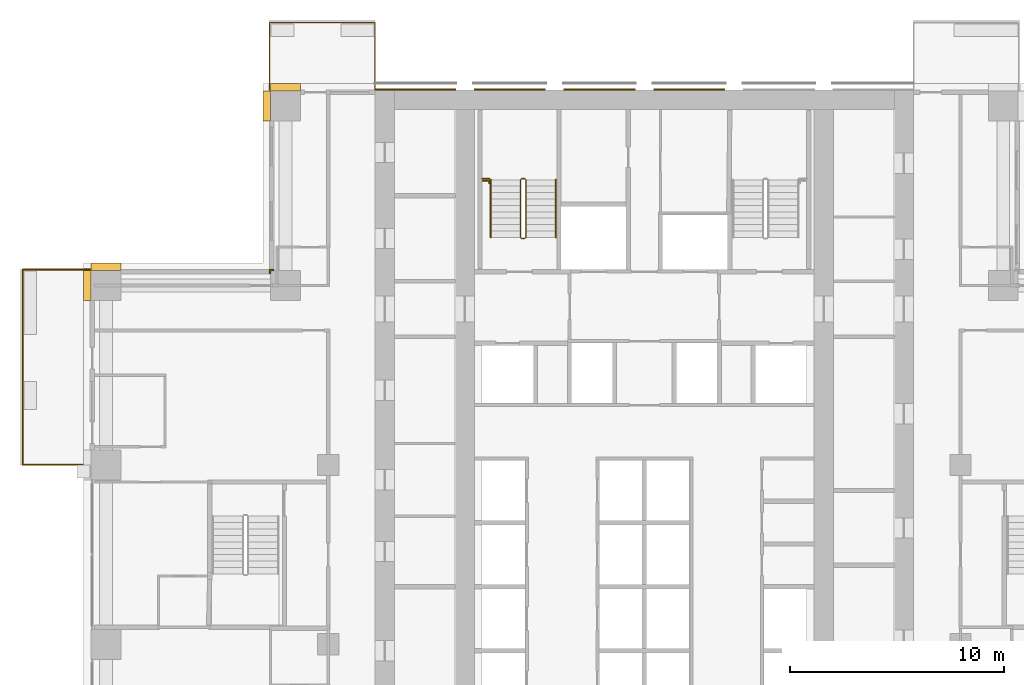
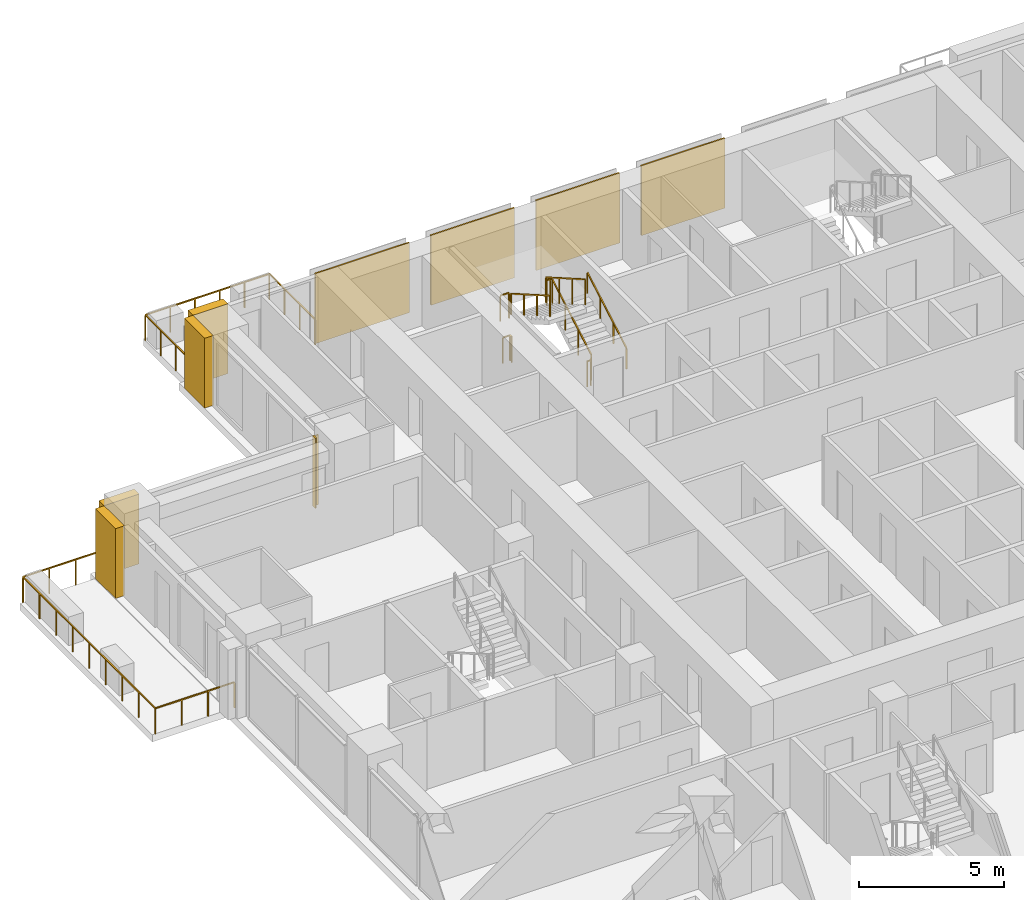
# One storey, part 15 of 16: 9 coverings, 7 railings.
"""IFC4 building model written with IfcOpenShell, lengths in metres."""

from ifc_helpers import new_model, si_unit, direction, frame, origin, origin_2d, place, context, subcontext, project, spatial, polyline, rectangle, outline, extrude, material, type_object, element, save


model = new_model("IFC4")

# Units and contexts
model_context = context("Model", 3, precision=1e-05, world=origin(), true_north=direction((0.0, 1.0)))
body_context = subcontext(model_context, "Body", "Model", "MODEL_VIEW")
ifc_project = project(units=[si_unit("LENGTHUNIT", "METRE"), si_unit("AREAUNIT", "SQUARE_METRE"), si_unit("VOLUMEUNIT", "CUBIC_METRE"), si_unit("PLANEANGLEUNIT", "RADIAN"), si_unit("MASSUNIT", "GRAM", prefix="KILO")], contexts=[model_context])

# Site, building, storey
site_placement = place(None, origin())
site = spatial("IfcSite", under=ifc_project, at=site_placement, CompositionType="ELEMENT")
building_placement = place(site_placement, origin())
building = spatial("IfcBuilding", under=site, at=building_placement, Name="Vermilion Ogive Tower", CompositionType="ELEMENT")
storey_placement = place(building_placement, frame((0.0, 0.0, 72.449951171875)))
storey = spatial("IfcBuildingStorey", under=building, at=storey_placement, Name="L17", CompositionType="ELEMENT", Elevation=72.449951171875)

# Railings
ifc_material_1 = material(Name="Stainless steel and glass", Category="steel")
railing_type_1 = type_object("IfcRailingType", Name="Balcony guard", PredefinedType="GUARDRAIL", material=ifc_material_1)
railing_1_placement = place(storey_placement, frame((-12.60009765625, 21.75, -0.0400390625)))
element("IfcRailing", 1, at=railing_1_placement, inside=storey, type_object=railing_type_1, Name="Guard N201", PredefinedType="GUARDRAIL", context=body_context, shape_type="SweptSolid", body=[
    extrude(rectangle(XDim=0.048095703125, YDim=0.048095703125, at=origin_2d()), frame((0.0, 0.0, 1.076171875), z_axis=(0.0, 1.0, 0.0), x_axis=(-1.0, 0.0, 0.0)), (0.0, 0.0, 1.0), 3.159912109375),
    extrude(rectangle(XDim=0.048095703125, YDim=0.048095703125, at=origin_2d()), frame((0.0, 3.159912109375, 1.076171875), z_axis=(-1.0, 0.0, 0.0), x_axis=(0.0, -1.0, 0.0)), (0.0, 0.0, 1.0), 4.949951171875),
    extrude(rectangle(XDim=0.048095703125, YDim=0.048095703125, at=origin_2d()), frame((-4.949951171875, 3.159912109375, 1.076171875), z_axis=(0.0, -1.0, 0.0), x_axis=(1.0, 0.0, 0.0)), (0.0, 0.0, 1.0), 3.159912109375),
    extrude(rectangle(XDim=0.0419921875, YDim=0.0419921875, at=origin_2d()), origin(), (0.0, 0.0, 1.0), 1.052001953125),
    extrude(rectangle(XDim=0.0419921875, YDim=0.0419921875, at=origin_2d()), frame((0.0, 1.05322265625, 0.0)), (0.0, 0.0, 1.0), 1.052001953125),
    extrude(rectangle(XDim=0.0419921875, YDim=0.0419921875, at=origin_2d()), frame((0.0, 2.106689453125, 0.0)), (0.0, 0.0, 1.0), 1.052001953125),
    extrude(rectangle(XDim=0.0419921875, YDim=0.0419921875, at=origin_2d()), frame((0.0, 3.159912109375, 0.0)), (0.0, 0.0, 1.0), 1.052001953125),
    extrude(rectangle(XDim=0.0419921875, YDim=0.0419921875, at=origin_2d()), frame((-0.989990234375, 3.159912109375, 0.0)), (0.0, 0.0, 1.0), 1.052001953125),
    extrude(rectangle(XDim=0.0419921875, YDim=0.0419921875, at=origin_2d()), frame((-1.97998046875, 3.159912109375, 0.0)), (0.0, 0.0, 1.0), 1.052001953125),
    extrude(rectangle(XDim=0.0419921875, YDim=0.0419921875, at=origin_2d()), frame((-2.969970703125, 3.159912109375, 0.0)), (0.0, 0.0, 1.0), 1.052001953125),
    extrude(rectangle(XDim=0.0419921875, YDim=0.0419921875, at=origin_2d()), frame((-3.9599609375, 3.159912109375, 0.0)), (0.0, 0.0, 1.0), 1.052001953125),
    extrude(rectangle(XDim=0.0419921875, YDim=0.0419921875, at=origin_2d()), frame((-4.949951171875, 3.159912109375, 0.0)), (0.0, 0.0, 1.0), 1.052001953125),
    extrude(rectangle(XDim=0.0419921875, YDim=0.0419921875, at=origin_2d()), frame((-4.949951171875, 2.106689453125, 0.0)), (0.0, 0.0, 1.0), 1.052001953125),
    extrude(rectangle(XDim=0.0419921875, YDim=0.0419921875, at=origin_2d()), frame((-4.949951171875, 1.05322265625, 0.0)), (0.0, 0.0, 1.0), 1.052001953125),
    extrude(rectangle(XDim=0.0419921875, YDim=0.0419921875, at=origin_2d()), frame((-4.949951171875, 0.0, 0.0)), (0.0, 0.0, 1.0), 1.052001953125),
])
railing_2_placement = place(storey_placement, frame((-25.949951171875, 13.35009765625, -0.0400390625)))
element("IfcRailing", 2, at=railing_2_placement, inside=storey, type_object=railing_type_1, Name="Guard W01", PredefinedType="GUARDRAIL", context=body_context, shape_type="SweptSolid", body=[
    extrude(rectangle(XDim=0.048095703125, YDim=0.048095703125, at=origin_2d()), frame((0.0, 0.0, 1.076171875), z_axis=(-1.0, 0.0, 0.0), x_axis=(0.0, -1.0, 0.0)), (0.0, 0.0, 1.0), 3.16015625),
    extrude(rectangle(XDim=0.048095703125, YDim=0.048095703125, at=origin_2d()), frame((-3.16015625, 0.0, 1.076171875), z_axis=(0.0, -1.0, 0.0), x_axis=(1.0, 0.0, 0.0)), (0.0, 0.0, 1.0), 9.150146484375),
    extrude(rectangle(XDim=0.048095703125, YDim=0.048095703125, at=origin_2d()), frame((-3.16015625, -9.150146484375, 1.076171875), z_axis=(1.0, 0.0, 0.0), x_axis=(0.0, 1.0, 0.0)), (0.0, 0.0, 1.0), 3.16015625),
    extrude(rectangle(XDim=0.0419921875, YDim=0.0419921875, at=origin_2d()), origin(), (0.0, 0.0, 1.0), 1.052001953125),
    extrude(rectangle(XDim=0.0419921875, YDim=0.0419921875, at=origin_2d()), frame((-1.053466796875, 0.0, 0.0)), (0.0, 0.0, 1.0), 1.052001953125),
    extrude(rectangle(XDim=0.0419921875, YDim=0.0419921875, at=origin_2d()), frame((-2.106689453125, 0.0, 0.0)), (0.0, 0.0, 1.0), 1.052001953125),
    extrude(rectangle(XDim=0.0419921875, YDim=0.0419921875, at=origin_2d()), frame((-3.16015625, 0.0, 0.0)), (0.0, 0.0, 1.0), 1.052001953125),
    extrude(rectangle(XDim=0.0419921875, YDim=0.0419921875, at=origin_2d()), frame((-3.16015625, -1.143798828125, 0.0)), (0.0, 0.0, 1.0), 1.052001953125),
    extrude(rectangle(XDim=0.0419921875, YDim=0.0419921875, at=origin_2d()), frame((-3.16015625, -2.28759765625, 0.0)), (0.0, 0.0, 1.0), 1.052001953125),
    extrude(rectangle(XDim=0.0419921875, YDim=0.0419921875, at=origin_2d()), frame((-3.16015625, -3.431396484375, 0.0)), (0.0, 0.0, 1.0), 1.052001953125),
    extrude(rectangle(XDim=0.0419921875, YDim=0.0419921875, at=origin_2d()), frame((-3.16015625, -4.5751953125, 0.0)), (0.0, 0.0, 1.0), 1.052001953125),
    extrude(rectangle(XDim=0.0419921875, YDim=0.0419921875, at=origin_2d()), frame((-3.16015625, -5.71875, 0.0)), (0.0, 0.0, 1.0), 1.052001953125),
    extrude(rectangle(XDim=0.0419921875, YDim=0.0419921875, at=origin_2d()), frame((-3.16015625, -6.862548828125, 0.0)), (0.0, 0.0, 1.0), 1.052001953125),
    extrude(rectangle(XDim=0.0419921875, YDim=0.0419921875, at=origin_2d()), frame((-3.16015625, -8.00634765625, 0.0)), (0.0, 0.0, 1.0), 1.052001953125),
    extrude(rectangle(XDim=0.0419921875, YDim=0.0419921875, at=origin_2d()), frame((-3.16015625, -9.150146484375, 0.0)), (0.0, 0.0, 1.0), 1.052001953125),
    extrude(rectangle(XDim=0.0419921875, YDim=0.0419921875, at=origin_2d()), frame((-2.106689453125, -9.150146484375, 0.0)), (0.0, 0.0, 1.0), 1.052001953125),
    extrude(rectangle(XDim=0.0419921875, YDim=0.0419921875, at=origin_2d()), frame((-1.053466796875, -9.150146484375, 0.0)), (0.0, 0.0, 1.0), 1.052001953125),
    extrude(rectangle(XDim=0.0419921875, YDim=0.0419921875, at=origin_2d()), frame((0.0, -9.150146484375, 0.0)), (0.0, 0.0, 1.0), 1.052001953125),
])
ifc_material_2 = material(Name="Steel S355 painted", Category="steel")
railing_type_2 = type_object("IfcRailingType", Name="Stair guard 1100", PredefinedType="GUARDRAIL", material=ifc_material_2)
railing_3_placement = place(storey_placement, frame((-5.75, 14.800048828125, 0.0)))
element("IfcRailing", 3, at=railing_3_placement, inside=storey, type_object=railing_type_2, Name="L17 ST1 stair guard 4", PredefinedType="GUARDRAIL", context=body_context, shape_type="SweptSolid", body=[
    extrude(rectangle(XDim=0.048095703125, YDim=0.048095703125, at=origin_2d()), frame((0.0, 0.0, 1.076171875), z_axis=(1.0, 0.0, 0.0), x_axis=(0.0, 1.0, 0.0)), (0.0, 0.0, 1.0), 0.14990234375),
    extrude(rectangle(XDim=0.048095703125, YDim=0.048095703125, at=origin_2d()), frame((0.14990234375, 0.0, 1.076171875), z_axis=(0.268277960024, 0.268277960024, 0.925231793839), x_axis=(-0.707106781187, 0.707106781187, 0.0)), (0.0, 0.0, 1.0), 0.1865234375),
    extrude(rectangle(XDim=0.048095703125, YDim=0.048095703125, at=origin_2d()), frame((0.199951171875, 0.050048828125, 1.24853515625), z_axis=(0.0, 0.866903762492, 0.498475542607), x_axis=(-1.0, 0.0, 0.0)), (0.0, 0.0, 1.0), 3.114501953125),
    extrude(rectangle(XDim=0.048095703125, YDim=0.048095703125, at=origin_2d()), frame((0.199951171875, 2.75, 2.80126953125), z_axis=(-0.707106781187, 0.707106781187, 0.0), x_axis=(-0.707106781187, -0.707106781187, 0.0)), (0.0, 0.0, 1.0), 0.07080078125),
    extrude(rectangle(XDim=0.048095703125, YDim=0.048095703125, at=origin_2d()), frame((0.14990234375, 2.800048828125, 2.80126953125), z_axis=(-1.0, 0.0, 0.0), x_axis=(0.0, -1.0, 0.0)), (0.0, 0.0, 1.0), 0.14990234375),
    extrude(rectangle(XDim=0.048095703125, YDim=0.048095703125, at=origin_2d()), frame((0.0, 2.800048828125, 2.80126953125), z_axis=(-0.268603158521, -0.268603158521, 0.925043072762), x_axis=(0.707106781187, -0.707106781187, 0.0)), (0.0, 0.0, 1.0), 0.186279296875),
    extrude(rectangle(XDim=0.048095703125, YDim=0.048095703125, at=origin_2d()), frame((-0.050048828125, 2.75, 2.9736328125), z_axis=(0.0, -0.866903762492, 0.498475542607), x_axis=(1.0, 0.0, 0.0)), (0.0, 0.0, 1.0), 3.114501953125),
    extrude(rectangle(XDim=0.0419921875, YDim=0.0419921875, at=origin_2d()), origin(), (0.0, 0.0, 1.0), 1.052001953125),
    extrude(rectangle(XDim=0.0419921875, YDim=0.0419921875, at=origin_2d()), frame((0.14990234375, 0.0, 0.0)), (0.0, 0.0, 1.0), 1.052001953125),
    extrude(rectangle(XDim=0.0419921875, YDim=0.0419921875, at=origin_2d()), frame((0.199951171875, 0.050048828125, 0.172607421875)), (0.0, 0.0, 1.0), 1.052001953125),
    extrude(rectangle(XDim=0.0419921875, YDim=0.0419921875, at=origin_2d()), frame((0.199951171875, 0.949951171875, 0.690185546875)), (0.0, 0.0, 1.0), 1.052001953125),
    extrude(rectangle(XDim=0.0419921875, YDim=0.0419921875, at=origin_2d()), frame((0.199951171875, 1.85009765625, 1.20751953125)), (0.0, 0.0, 1.0), 1.052001953125),
    extrude(rectangle(XDim=0.0419921875, YDim=0.0419921875, at=origin_2d()), frame((0.199951171875, 2.75, 1.72509765625)), (0.0, 0.0, 1.0), 1.052001953125),
    extrude(rectangle(XDim=0.0419921875, YDim=0.0419921875, at=origin_2d()), frame((0.14990234375, 2.800048828125, 1.72509765625)), (0.0, 0.0, 1.0), 1.052001953125),
    extrude(rectangle(XDim=0.0419921875, YDim=0.0419921875, at=origin_2d()), frame((0.0, 2.800048828125, 1.72509765625)), (0.0, 0.0, 1.0), 1.052001953125),
    extrude(rectangle(XDim=0.0419921875, YDim=0.0419921875, at=origin_2d()), frame((-0.050048828125, 2.75, 1.8974609375)), (0.0, 0.0, 1.0), 1.052001953125),
    extrude(rectangle(XDim=0.0419921875, YDim=0.0419921875, at=origin_2d()), frame((-0.050048828125, 1.85009765625, 2.4150390625)), (0.0, 0.0, 1.0), 1.052001953125),
    extrude(rectangle(XDim=0.0419921875, YDim=0.0419921875, at=origin_2d()), frame((-0.050048828125, 0.949951171875, 2.932373046875)), (0.0, 0.0, 1.0), 1.052001953125),
    extrude(rectangle(XDim=0.0419921875, YDim=0.0419921875, at=origin_2d()), frame((-0.050048828125, 0.050048828125, 3.449951171875)), (0.0, 0.0, 1.0), 1.052001953125),
])
railing_4_placement = place(storey_placement, frame((-7.60009765625, 17.60009765625, 1.72509765625)))
element("IfcRailing", 4, at=railing_4_placement, inside=storey, type_object=railing_type_2, Name="L17 landing guard", PredefinedType="GUARDRAIL", context=body_context, shape_type="SweptSolid", body=[
    extrude(rectangle(XDim=0.048095703125, YDim=0.048095703125, at=origin_2d()), frame((0.0, 0.0, 1.076171875), z_axis=(1.0, 0.0, 0.0), x_axis=(0.0, 1.0, 0.0)), (0.0, 0.0, 1.0), 0.35009765625),
    extrude(rectangle(XDim=0.0419921875, YDim=0.0419921875, at=origin_2d()), origin(), (0.0, 0.0, 1.0), 1.052001953125),
    extrude(rectangle(XDim=0.0419921875, YDim=0.0419921875, at=origin_2d()), frame((0.35009765625, 0.0, 0.0)), (0.0, 0.0, 1.0), 1.052001953125),
])
railing_5_placement = place(storey_placement, frame((-7.56298828125, 17.49462890625, 0.0)))
element("IfcRailing", 5, at=railing_5_placement, inside=storey, type_object=railing_type_2, Name="L17 stair opening guard", PredefinedType="GUARDRAIL", context=body_context, shape_type="SweptSolid", body=[
    extrude(rectangle(XDim=0.048095703125, YDim=0.048095703125, at=origin_2d()), frame((0.0, 0.0, 1.076171875), z_axis=(1.0, 0.0, 0.0), x_axis=(0.0, 1.0, 0.0)), (0.0, 0.0, 1.0), 0.2900390625),
    extrude(rectangle(XDim=0.048095703125, YDim=0.048095703125, at=origin_2d()), frame((0.2900390625, 0.0, 1.076171875), z_axis=(0.0, -1.0, 0.0), x_axis=(1.0, 0.0, 0.0)), (0.0, 0.0, 1.0), 0.1201171875),
    extrude(rectangle(XDim=0.0419921875, YDim=0.0419921875, at=origin_2d()), origin(), (0.0, 0.0, 1.0), 1.052001953125),
    extrude(rectangle(XDim=0.0419921875, YDim=0.0419921875, at=origin_2d()), frame((0.2900390625, 0.0, 0.0)), (0.0, 0.0, 1.0), 1.052001953125),
    extrude(rectangle(XDim=0.0419921875, YDim=0.0419921875, at=origin_2d()), frame((0.2900390625, -0.1201171875, 0.0)), (0.0, 0.0, 1.0), 1.052001953125),
])
ifc_material_3 = material(Name="Stainless steel", Category="steel")
railing_type_3 = type_object("IfcRailingType", Name="Stair handrail 900", PredefinedType="HANDRAIL", material=ifc_material_3)
railing_6_placement = place(storey_placement, frame((-4.14990234375, 14.85009765625, 0.172607421875)))
element("IfcRailing", 6, at=railing_6_placement, inside=storey, type_object=railing_type_3, Name="L17 ST1 stair handrail 1", PredefinedType="HANDRAIL", context=body_context, shape_type="SweptSolid", body=[
    extrude(rectangle(XDim=0.048095703125, YDim=0.048095703125, at=origin_2d()), frame((0.0, 0.0, 0.8759765625), z_axis=(0.0, 0.866903762492, 0.498475542607), x_axis=(-1.0, 0.0, 0.0)), (0.0, 0.0, 1.0), 3.114501953125),
    extrude(rectangle(XDim=0.0419921875, YDim=0.0419921875, at=origin_2d()), origin(), (0.0, 0.0, 1.0), 0.851806640625),
    extrude(rectangle(XDim=0.0419921875, YDim=0.0419921875, at=origin_2d()), frame((0.0, 0.89990234375, 0.517578125)), (0.0, 0.0, 1.0), 0.851806640625),
    extrude(rectangle(XDim=0.0419921875, YDim=0.0419921875, at=origin_2d()), frame((0.0, 1.800048828125, 1.034912109375)), (0.0, 0.0, 1.0), 0.851806640625),
    extrude(rectangle(XDim=0.0419921875, YDim=0.0419921875, at=origin_2d()), frame((0.0, 2.699951171875, 1.552490234375)), (0.0, 0.0, 1.0), 0.851806640625),
])
railing_7_placement = place(storey_placement, frame((-7.199951171875, 17.550048828125, 1.8974609375)))
element("IfcRailing", 7, at=railing_7_placement, inside=storey, type_object=railing_type_3, Name="L17 ST1 stair handrail 2", PredefinedType="HANDRAIL", context=body_context, shape_type="SweptSolid", body=[
    extrude(rectangle(XDim=0.048095703125, YDim=0.048095703125, at=origin_2d()), frame((0.0, 0.0, 0.8759765625), z_axis=(0.0, -0.866903762492, 0.498475542607), x_axis=(1.0, 0.0, 0.0)), (0.0, 0.0, 1.0), 3.114501953125),
    extrude(rectangle(XDim=0.0419921875, YDim=0.0419921875, at=origin_2d()), origin(), (0.0, 0.0, 1.0), 0.851806640625),
    extrude(rectangle(XDim=0.0419921875, YDim=0.0419921875, at=origin_2d()), frame((0.0, -0.89990234375, 0.517578125)), (0.0, 0.0, 1.0), 0.851806640625),
    extrude(rectangle(XDim=0.0419921875, YDim=0.0419921875, at=origin_2d()), frame((0.0, -1.800048828125, 1.034912109375)), (0.0, 0.0, 1.0), 0.851806640625),
    extrude(rectangle(XDim=0.0419921875, YDim=0.0419921875, at=origin_2d()), frame((0.0, -2.699951171875, 1.552490234375)), (0.0, 0.0, 1.0), 0.851806640625),
])

# Coverings
ifc_material_4 = material(Name="Stone cladding", Category="masonry")
covering_type_1 = type_object("IfcCoveringType", Name="Stone cladding panel", PredefinedType="CLADDING", material=ifc_material_4)
covering_1_placement = place(storey_placement, origin())
element("IfcCovering", 8, at=covering_1_placement, inside=storey, type_object=covering_type_1, Name="Stone cladding panel N1", PredefinedType="CLADDING", context=body_context, shape_type="SweptSolid", body=[
    extrude(outline(polyline([(-12.590087890625, 21.75), (-8.830078125, 21.75), (-8.830078125, 21.81005859375), (-12.590087890625, 21.81005859375), (-12.590087890625, 21.75)])), origin(), (0.0, 0.0, 1.0), 2.949951171875),
])
covering_2_placement = place(storey_placement, origin())
element("IfcCovering", 9, at=covering_2_placement, inside=storey, type_object=covering_type_1, Name="Stone cladding panel N2", PredefinedType="CLADDING", context=body_context, shape_type="SweptSolid", body=[
    extrude(outline(polyline([(-7.969970703125, 21.75), (-4.6298828125, 21.75), (-4.6298828125, 21.81005859375), (-7.969970703125, 21.81005859375), (-7.969970703125, 21.75)])), origin(), (0.0, 0.0, 1.0), 2.949951171875),
])
covering_3_placement = place(storey_placement, origin())
element("IfcCovering", 10, at=covering_3_placement, inside=storey, type_object=covering_type_1, Name="Stone cladding panel N3", PredefinedType="CLADDING", context=body_context, shape_type="SweptSolid", body=[
    extrude(outline(polyline([(-3.77001953125, 21.75), (-0.429931640625, 21.75), (-0.429931640625, 21.81005859375), (-3.77001953125, 21.81005859375), (-3.77001953125, 21.75)])), origin(), (0.0, 0.0, 1.0), 2.949951171875),
])
covering_4_placement = place(storey_placement, origin())
element("IfcCovering", 11, at=covering_4_placement, inside=storey, type_object=covering_type_1, Name="Stone cladding panel N4", PredefinedType="CLADDING", context=body_context, shape_type="SweptSolid", body=[
    extrude(outline(polyline([(0.429931640625, 21.75), (3.77001953125, 21.75), (3.77001953125, 21.81005859375), (0.429931640625, 21.81005859375), (0.429931640625, 21.75)])), origin(), (0.0, 0.0, 1.0), 2.949951171875),
])
ifc_material_5 = material(Name="Stone cladding", Category="masonry")
covering_type_2 = type_object("IfcCoveringType", Name="Stone pier", PredefinedType="CLADDING", material=ifc_material_5)
covering_5_placement = place(storey_placement, origin())
element("IfcCovering", 12, at=covering_5_placement, inside=storey, type_object=covering_type_2, Name="Stone corner pier X5E1", PredefinedType="CLADDING", context=body_context, shape_type="SweptSolid", body=[
    extrude(outline(polyline([(-17.35009765625, 13.300048828125), (-17.5, 13.300048828125), (-17.5, 13.14990234375), (-17.550048828125, 13.14990234375), (-17.550048828125, 13.35009765625), (-17.35009765625, 13.35009765625), (-17.35009765625, 13.300048828125)])), origin(), (0.0, 0.0, 1.0), 2.949951171875),
])
covering_6_placement = place(storey_placement, origin())
element("IfcCovering", 13, at=covering_6_placement, inside=storey, type_object=covering_type_2, Name="Stone pier P-0168+210N2", PredefinedType="CLADDING", context=body_context, shape_type="SweptSolid", body=[
    extrude(outline(polyline([(-17.5, 21.699951171875), (-17.5, 22.050048828125), (-16.10009765625, 22.050048828125), (-16.10009765625, 21.699951171875), (-17.5, 21.699951171875), (-17.5, 21.699951171875)])), origin(), (0.0, 0.0, 1.0), 2.949951171875),
])
covering_7_placement = place(storey_placement, origin())
element("IfcCovering", 14, at=covering_7_placement, inside=storey, type_object=covering_type_2, Name="Stone pier P-0168+210X5", PredefinedType="CLADDING", context=body_context, shape_type="SweptSolid", body=[
    extrude(outline(polyline([(-17.85009765625, 21.699951171875), (-17.5, 21.699951171875), (-17.5, 21.699951171875), (-17.5, 20.300048828125), (-17.85009765625, 20.300048828125), (-17.85009765625, 21.699951171875)])), origin(), (0.0, 0.0, 1.0), 2.949951171875),
])
covering_8_placement = place(storey_placement, origin())
element("IfcCovering", 15, at=covering_8_placement, inside=storey, type_object=covering_type_2, Name="Stone pier P-0252+126X6", PredefinedType="CLADDING", context=body_context, shape_type="SweptSolid", body=[
    extrude(outline(polyline([(-25.89990234375, 13.300048828125), (-25.89990234375, 13.64990234375), (-24.5, 13.64990234375), (-24.5, 13.300048828125), (-24.5, 13.300048828125), (-25.89990234375, 13.300048828125)])), origin(), (0.0, 0.0, 1.0), 2.949951171875),
])
covering_9_placement = place(storey_placement, origin())
element("IfcCovering", 16, at=covering_9_placement, inside=storey, type_object=covering_type_2, Name="Stone pier P-0252+126W", PredefinedType="CLADDING", context=body_context, shape_type="SweptSolid", body=[
    extrude(outline(polyline([(-26.25, 13.300048828125), (-25.89990234375, 13.300048828125), (-25.89990234375, 11.89990234375), (-26.25, 11.89990234375), (-26.25, 13.300048828125)])), origin(), (0.0, 0.0, 1.0), 2.949951171875),
])

save(model, "model.ifc")
